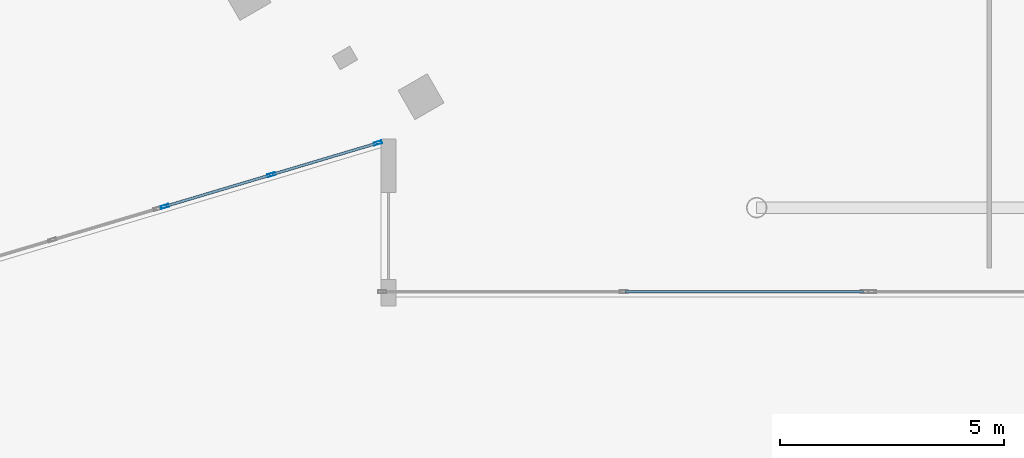
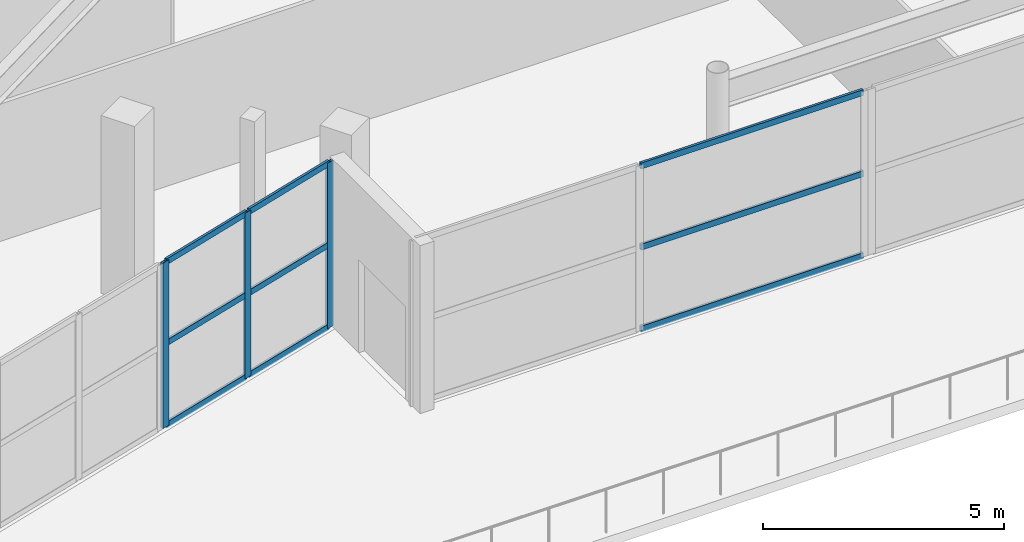
# One storey, part 40 of 107: 12 members, 2 elements without a shape of their own.
"""IFC4 building model written with IfcOpenShell, lengths in metres."""

from ifc_helpers import new_model, si_unit, direction, frame, origin, origin_2d, place, context, subcontext, project, spatial, hollow_rectangle, extrude, material, layer, layer_set, material_profile, profile_set, type_object, element, aggregate, save


model = new_model("IFC4")

# Units and contexts
model_context = context("Model", 3, precision=1e-05, world=origin(), true_north=direction((0.0, 1.0)))
body_context = subcontext(model_context, "Body", "Model", "MODEL_VIEW")
ifc_project = project(units=[si_unit("LENGTHUNIT", "METRE"), si_unit("AREAUNIT", "SQUARE_METRE"), si_unit("VOLUMEUNIT", "CUBIC_METRE"), si_unit("PLANEANGLEUNIT", "RADIAN"), si_unit("MASSUNIT", "GRAM", prefix="KILO")], contexts=[model_context])

# Site, building, storey
site_placement = place(None, origin())
site = spatial("IfcSite", under=ifc_project, at=site_placement, CompositionType="ELEMENT")
building_placement = place(site_placement, origin())
building = spatial("IfcBuilding", under=site, at=building_placement, Name="Kalgoora Escarpment Arena", CompositionType="ELEMENT")
storey_placement = place(building_placement, frame((0.0, 0.0, 5.39990234375)))
storey = spatial("IfcBuildingStorey", under=building, at=storey_placement, Name="L01", CompositionType="ELEMENT", Elevation=5.39990234375)

# Curtain wall, members
ifc_material_1 = material(Name=" Champagne anodised aluminium & double-glazed low-E", Category="aluminium")
ifc_layer_1 = layer(ifc_material_1, 0.154052734375)
ifc_layer_set_1 = layer_set([ifc_layer_1], Name="CW-UNIT-06")
curtain_wall_type_1 = type_object("IfcCurtainWallType", Name="CW-UNIT-06", PredefinedType="NOTDEFINED", material=ifc_layer_set_1)
curtain_wall_1_placement = place(storey_placement, origin())
curtain_wall_1 = element("IfcCurtainWall", 1, at=curtain_wall_1_placement, inside=storey, type_object=curtain_wall_type_1, Name="L01 unitised facade curtain wall 005", PredefinedType="NOTDEFINED")
ifc_material_2 = material(Name="Anodised aluminium 6063-T6", Category="aluminium")
ifc_material_profile_1 = material_profile(ifc_material_2, hollow_rectangle(XDim=0.06494140625, YDim=0.179931640625, WallThickness=0.00390625, at=origin_2d()))
ifc_profile_set_1 = profile_set([ifc_material_profile_1], Name="Anodised aluminium 6063-T6")
member_type_1 = type_object("IfcMemberType", Name="MEM-CW-MULL-180", PredefinedType="MULLION", material=ifc_profile_set_1)
member_1_placement = place(storey_placement, frame((134.33447265625, 9.4453125, 0.02001953125), z_axis=(0.0, 0.0, 1.0), x_axis=(0.285631918756, -0.958339400728, 0.0)))
member_1 = element("IfcMember", 2, at=member_1_placement, type_object=member_type_1, Name="CW-06 mullion 1", PredefinedType="MULLION", context=body_context, shape_type="SweptSolid", body=[
    extrude(hollow_rectangle(XDim=0.06494140625, YDim=0.179931640625, WallThickness=0.00390625, at=origin_2d()), origin(), (0.0, 0.0, 1.0), 4.190185546875),
])
member_2_placement = place(storey_placement, frame((131.954345703125, 8.736083984375, 0.02001953125), z_axis=(0.0, 0.0, 1.0), x_axis=(0.285631918756, -0.958339400728, 0.0)))
member_2 = element("IfcMember", 3, at=member_2_placement, type_object=member_type_1, Name="CW-06 mullion 2", PredefinedType="MULLION", context=body_context, shape_type="SweptSolid", body=[
    extrude(hollow_rectangle(XDim=0.06494140625, YDim=0.179931640625, WallThickness=0.00390625, at=origin_2d()), origin(), (0.0, 0.0, 1.0), 4.190185546875),
])
member_3_placement = place(storey_placement, frame((129.57421875, 8.026611328125, 0.02001953125), z_axis=(0.0, 0.0, 1.0), x_axis=(0.285631918756, -0.958339400728, 0.0)))
member_3 = element("IfcMember", 4, at=member_3_placement, type_object=member_type_1, Name="CW-06 mullion 3", PredefinedType="MULLION", context=body_context, shape_type="SweptSolid", body=[
    extrude(hollow_rectangle(XDim=0.06494140625, YDim=0.179931640625, WallThickness=0.00390625, at=origin_2d()), origin(), (0.0, 0.0, 1.0), 4.190185546875),
])

ifc_material_3 = material(Name=" Champagne anodised aluminium & double-glazed low-E", Category="aluminium")
ifc_layer_2 = layer(ifc_material_3, 0.14990234375)
ifc_layer_set_2 = layer_set([ifc_layer_2], Name="CW-UNIT-05")
curtain_wall_type_2 = type_object("IfcCurtainWallType", Name="CW-UNIT-05", PredefinedType="NOTDEFINED", material=ifc_layer_set_2)
curtain_wall_2_placement = place(storey_placement, origin())
curtain_wall_2 = element("IfcCurtainWall", 5, at=curtain_wall_2_placement, inside=storey, type_object=curtain_wall_type_2, Name="L01 unitised facade curtain wall 004", PredefinedType="NOTDEFINED")
ifc_material_4 = material(Name="Anodised aluminium 6063-T6", Category="aluminium")
ifc_material_profile_2 = material_profile(ifc_material_4, hollow_rectangle(XDim=0.06005859375, YDim=0.14990234375, WallThickness=0.00341796875, at=origin_2d()))
ifc_profile_set_2 = profile_set([ifc_material_profile_2], Name="Anodised aluminium 6063-T6")
member_type_2 = type_object("IfcMemberType", Name="MEM-CW-TRAN-150", PredefinedType="USERDEFINED", material=ifc_profile_set_2)
member_4_placement = place(storey_placement, frame((145.18505859375, 6.1201171875, 0.050048828125), z_axis=(-1.0, 0.0, 0.0), x_axis=(0.0, -1.0, 0.0)))
member_4 = element("IfcMember", 6, at=member_4_placement, type_object=member_type_2, Name="CW-05 transom 1.1", ObjectType="TRANSOM", PredefinedType="USERDEFINED", context=body_context, shape_type="SweptSolid", body=[
    extrude(hollow_rectangle(XDim=0.06005859375, YDim=0.14990234375, WallThickness=0.00341796875, at=origin_2d()), origin(), (0.0, 0.0, 1.0), 5.32763671875),
])
member_5_placement = place(storey_placement, frame((145.18505859375, 6.1201171875, 2.125), z_axis=(-1.0, 0.0, 0.0), x_axis=(0.0, -1.0, 0.0)))
member_5 = element("IfcMember", 7, at=member_5_placement, type_object=member_type_2, Name="CW-05 transom 1.2", ObjectType="TRANSOM", PredefinedType="USERDEFINED", context=body_context, shape_type="SweptSolid", body=[
    extrude(hollow_rectangle(XDim=0.06005859375, YDim=0.14990234375, WallThickness=0.00341796875, at=origin_2d()), origin(), (0.0, 0.0, 1.0), 5.32763671875),
])
member_6_placement = place(storey_placement, frame((145.18505859375, 6.1201171875, 4.18017578125), z_axis=(-1.0, 0.0, 0.0), x_axis=(0.0, -1.0, 0.0)))
member_6 = element("IfcMember", 8, at=member_6_placement, type_object=member_type_2, Name="CW-05 transom 1.3", ObjectType="TRANSOM", PredefinedType="USERDEFINED", context=body_context, shape_type="SweptSolid", body=[
    extrude(hollow_rectangle(XDim=0.06005859375, YDim=0.14990234375, WallThickness=0.00341796875, at=origin_2d()), origin(), (0.0, 0.0, 1.0), 5.32763671875),
])
aggregate(curtain_wall_2, [member_4, member_5, member_6])

# Member
member_7_placement = place(storey_placement, frame((134.303466796875, 9.43603515625, 0.050048828125), z_axis=(-0.958358061282, -0.285569302229, 0.0), x_axis=(0.285569302229, -0.958358061282, 0.0)))
member_7 = element("IfcMember", 9, at=member_7_placement, type_object=member_type_2, Name="CW-06 transom 1.1", ObjectType="TRANSOM", PredefinedType="USERDEFINED", context=body_context, shape_type="SweptSolid", body=[
    extrude(hollow_rectangle(XDim=0.06005859375, YDim=0.14990234375, WallThickness=0.00341796875, at=origin_2d()), origin(), (0.0, 0.0, 1.0), 2.418701171875),
])

member_8_placement = place(storey_placement, frame((134.303466796875, 9.43603515625, 2.125), z_axis=(-0.958358061282, -0.285569302229, 0.0), x_axis=(0.285569302229, -0.958358061282, 0.0)))
member_8 = element("IfcMember", 10, at=member_8_placement, type_object=member_type_2, Name="CW-06 transom 1.2", ObjectType="TRANSOM", PredefinedType="USERDEFINED", context=body_context, shape_type="SweptSolid", body=[
    extrude(hollow_rectangle(XDim=0.06005859375, YDim=0.14990234375, WallThickness=0.00341796875, at=origin_2d()), origin(), (0.0, 0.0, 1.0), 2.418701171875),
])

member_9_placement = place(storey_placement, frame((134.303466796875, 9.43603515625, 4.18017578125), z_axis=(-0.958358061282, -0.285569302229, 0.0), x_axis=(0.285569302229, -0.958358061282, 0.0)))
member_9 = element("IfcMember", 11, at=member_9_placement, type_object=member_type_2, Name="CW-06 transom 1.3", ObjectType="TRANSOM", PredefinedType="USERDEFINED", context=body_context, shape_type="SweptSolid", body=[
    extrude(hollow_rectangle(XDim=0.06005859375, YDim=0.14990234375, WallThickness=0.00341796875, at=origin_2d()), origin(), (0.0, 0.0, 1.0), 2.418701171875),
])

member_10_placement = place(storey_placement, frame((131.923095703125, 8.726806640625, 0.050048828125), z_axis=(-0.958330431601, -0.285662009841, 0.0), x_axis=(0.285662009841, -0.958330431601, 0.0)))
member_10 = element("IfcMember", 12, at=member_10_placement, type_object=member_type_2, Name="CW-06 transom 2.1", ObjectType="TRANSOM", PredefinedType="USERDEFINED", context=body_context, shape_type="SweptSolid", body=[
    extrude(hollow_rectangle(XDim=0.06005859375, YDim=0.14990234375, WallThickness=0.00341796875, at=origin_2d()), origin(), (0.0, 0.0, 1.0), 2.418701171875),
])

member_11_placement = place(storey_placement, frame((131.923095703125, 8.726806640625, 2.125), z_axis=(-0.958330431601, -0.285662009841, 0.0), x_axis=(0.285662009841, -0.958330431601, 0.0)))
member_11 = element("IfcMember", 13, at=member_11_placement, type_object=member_type_2, Name="CW-06 transom 2.2", ObjectType="TRANSOM", PredefinedType="USERDEFINED", context=body_context, shape_type="SweptSolid", body=[
    extrude(hollow_rectangle(XDim=0.06005859375, YDim=0.14990234375, WallThickness=0.00341796875, at=origin_2d()), origin(), (0.0, 0.0, 1.0), 2.418701171875),
])

member_12_placement = place(storey_placement, frame((131.923095703125, 8.726806640625, 4.18017578125), z_axis=(-0.958330431601, -0.285662009841, 0.0), x_axis=(0.285662009841, -0.958330431601, 0.0)))
member_12 = element("IfcMember", 14, at=member_12_placement, type_object=member_type_2, Name="CW-06 transom 2.3", ObjectType="TRANSOM", PredefinedType="USERDEFINED", context=body_context, shape_type="SweptSolid", body=[
    extrude(hollow_rectangle(XDim=0.06005859375, YDim=0.14990234375, WallThickness=0.00341796875, at=origin_2d()), origin(), (0.0, 0.0, 1.0), 2.418701171875),
])

aggregate(curtain_wall_1, [member_1, member_2, member_3, member_7, member_8, member_9, member_10, member_11, member_12])

save(model, "model.ifc")
